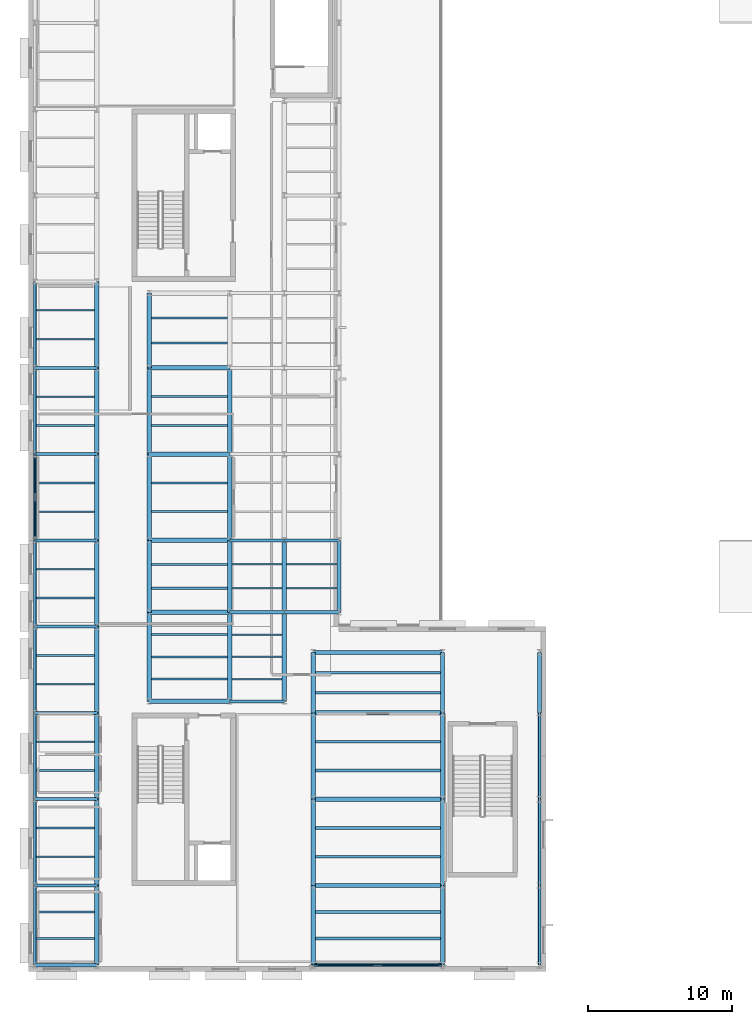
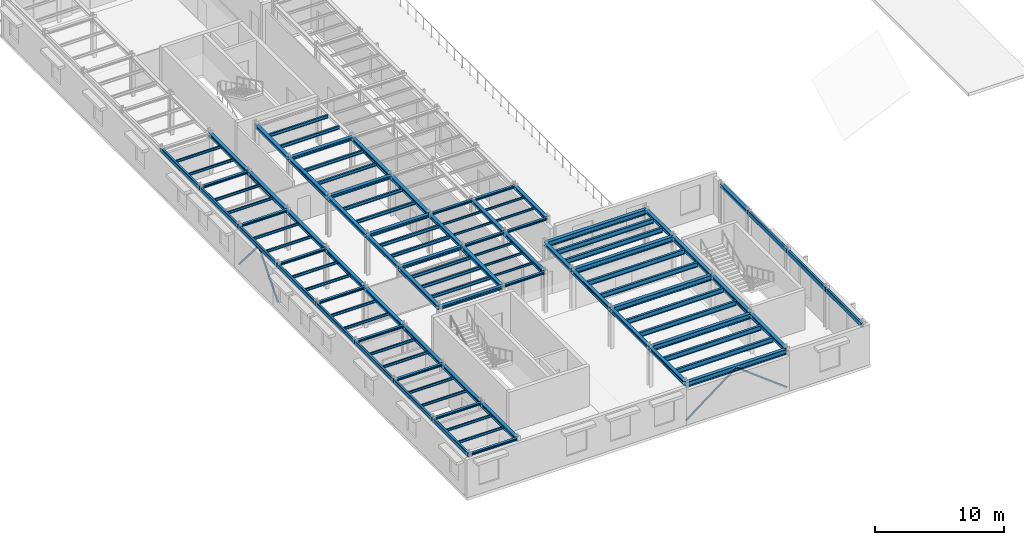
# One storey, part 3 of 13: 105 beams, 4 members.
"""IFC4 building model written with IfcOpenShell, lengths in metres."""

from ifc_helpers import new_model, si_unit, direction, frame, origin, origin_2d, place, context, subcontext, project, spatial, hollow_rectangle, hollow_circle, i_section, extrude, material, material_profile, profile_set, type_object, element, save


model = new_model("IFC4")

# Units and contexts
model_context = context("Model", 3, precision=1e-05, world=origin(), true_north=direction((0.0, 1.0)))
body_context = subcontext(model_context, "Body", "Model", "MODEL_VIEW")
ifc_project = project(units=[si_unit("LENGTHUNIT", "METRE"), si_unit("AREAUNIT", "SQUARE_METRE"), si_unit("VOLUMEUNIT", "CUBIC_METRE"), si_unit("PLANEANGLEUNIT", "RADIAN"), si_unit("MASSUNIT", "GRAM", prefix="KILO")], contexts=[model_context])

# Site, building, storey
site_placement = place(None, origin())
site = spatial("IfcSite", under=ifc_project, at=site_placement, CompositionType="ELEMENT")
building_placement = place(site_placement, origin())
building = spatial("IfcBuilding", under=site, at=building_placement, Name="Kolvaren Corner Interchange", CompositionType="ELEMENT")
storey_placement = place(building_placement, frame((0.0, 0.0, 14.699951171875)))
storey = spatial("IfcBuildingStorey", under=building, at=storey_placement, Name="L04", CompositionType="ELEMENT", Elevation=14.699951171875)

# Beams
ifc_material_1 = material(Name="Steel S355", Category="steel")
ifc_material_profile_1 = material_profile(ifc_material_1, i_section(OverallWidth=0.219970703125, OverallDepth=0.2099609375, WebThickness=0.007080078125, FlangeThickness=0.010986328125, FilletRadius=0.01806640625, at=origin_2d()), Name="HEA 220")
ifc_profile_set_1 = profile_set([ifc_material_profile_1], Name="Steel S355")
beam_type_1 = type_object("IfcBeamType", Name="BM-HEA220", PredefinedType="BEAM", material=ifc_profile_set_1)
for number, where, z_axis, x_axis, name in (
    (1, (14.0, 18.800048828125, 3.695068359375), (1.0, 0.0, 0.0), (0.0, 1.0, 0.0), "Storey L04 Grid X Primary Girder 1027"),
    (2, (14.0, 25.0, 3.695068359375), (1.0, 0.0, 0.0), (0.0, 1.0, 0.0), "Storey L04 Grid X Primary Girder 1029"),
    (3, (17.800048828125, 25.0, 3.695068359375), (1.0, 0.0, 0.0), (0.0, 1.0, 0.0), "Storey L04 Grid X Primary Girder 1030"),
    (4, (14.0, 30.0, 3.695068359375), (1.0, 0.0, 0.0), (0.0, 1.0, 0.0), "Storey L04 Grid X Primary Girder 1032"),
    (5, (17.800048828125, 30.0, 3.695068359375), (1.0, 0.0, 0.0), (0.0, 1.0, 0.0), "Storey L04 Grid X Primary Girder 1033"),
):
    element("IfcBeam", number, at=place(storey_placement, frame(where, z_axis=z_axis, x_axis=x_axis)), inside=storey, type_object=beam_type_1, Name=name, PredefinedType="BEAM", context=body_context, shape_type="SweptSolid", body=[
        extrude(i_section(OverallWidth=0.219970703125, OverallDepth=0.2099609375, WebThickness=0.007080078125, FlangeThickness=0.010986328125, FilletRadius=0.01806640625, at=origin_2d()), origin(), (0.0, 0.0, 1.0), 3.800048828125),
    ])
for number, where, z_axis, x_axis, name in (
    (6, (0.449951171875, 0.449951171875, 3.695068359375), (1.0, 0.0, 0.0), (0.0, 1.0, 0.0), "Storey L04 Grid X Primary Girder 1070"),
    (7, (0.449951171875, 6.0, 3.695068359375), (1.0, 0.0, 0.0), (0.0, 1.0, 0.0), "Storey L04 Grid X Primary Girder 1072"),
    (8, (0.449951171875, 12.0, 3.695068359375), (1.0, 0.0, 0.0), (0.0, 1.0, 0.0), "Storey L04 Grid X Primary Girder 1074"),
    (9, (0.449951171875, 18.0, 3.695068359375), (1.0, 0.0, 0.0), (0.0, 1.0, 0.0), "Storey L04 Grid X Primary Girder 1076"),
    (10, (0.449951171875, 24.0, 3.695068359375), (1.0, 0.0, 0.0), (0.0, 1.0, 0.0), "Storey L04 Grid X Primary Girder 1079"),
    (11, (0.449951171875, 30.0, 3.695068359375), (1.0, 0.0, 0.0), (0.0, 1.0, 0.0), "Storey L04 Grid X Primary Girder 1080"),
    (12, (0.449951171875, 36.0, 3.695068359375), (1.0, 0.0, 0.0), (0.0, 1.0, 0.0), "Storey L04 Grid X Primary Girder 1081"),
    (13, (0.449951171875, 42.0, 3.695068359375), (1.0, 0.0, 0.0), (0.0, 1.0, 0.0), "Storey L04 Grid X Primary Girder 1082"),
):
    element("IfcBeam", number, at=place(storey_placement, frame(where, z_axis=z_axis, x_axis=x_axis)), inside=storey, type_object=beam_type_1, Name=name, PredefinedType="BEAM", context=body_context, shape_type="SweptSolid", body=[
        extrude(i_section(OverallWidth=0.219970703125, OverallDepth=0.2099609375, WebThickness=0.007080078125, FlangeThickness=0.010986328125, FilletRadius=0.01806640625, at=origin_2d()), origin(), (0.0, 0.0, 1.0), 4.300048828125),
    ])
ifc_material_2 = material(Name="Steel S355", Category="steel")
ifc_material_profile_2 = material_profile(ifc_material_2, i_section(OverallWidth=0.300048828125, OverallDepth=0.2900390625, WebThickness=0.008544921875, FlangeThickness=0.013916015625, FilletRadius=0.027099609375, at=origin_2d()), Name="HEA 300")
ifc_profile_set_2 = profile_set([ifc_material_profile_2], Name="Steel S355")
beam_type_2 = type_object("IfcBeamType", Name="BM-HEA300", PredefinedType="BEAM", material=ifc_profile_set_2)
for number, where, z_axis, x_axis, name in (
    (14, (8.39990234375, 18.800048828125, 3.655029296875), (1.0, 0.0, 0.0), (0.0, 1.0, 0.0), "Storey L04 Grid X Primary Girder 1026"),
    (15, (8.39990234375, 25.0, 3.655029296875), (1.0, 0.0, 0.0), (0.0, 1.0, 0.0), "Storey L04 Grid X Primary Girder 1028"),
    (16, (8.39990234375, 30.0, 3.655029296875), (1.0, 0.0, 0.0), (0.0, 1.0, 0.0), "Storey L04 Grid X Primary Girder 1031"),
    (17, (8.39990234375, 36.0, 3.655029296875), (1.0, 0.0, 0.0), (0.0, 1.0, 0.0), "Storey L04 Grid X Primary Girder 1034"),
    (18, (8.39990234375, 42.0, 3.655029296875), (1.0, 0.0, 0.0), (0.0, 1.0, 0.0), "Storey L04 Grid X Primary Girder 1037"),
):
    element("IfcBeam", number, at=place(storey_placement, frame(where, z_axis=z_axis, x_axis=x_axis)), inside=storey, type_object=beam_type_2, Name=name, PredefinedType="BEAM", context=body_context, shape_type="SweptSolid", body=[
        extrude(i_section(OverallWidth=0.300048828125, OverallDepth=0.2900390625, WebThickness=0.008544921875, FlangeThickness=0.013916015625, FilletRadius=0.027099609375, at=origin_2d()), origin(), (0.0, 0.0, 1.0), 5.60009765625),
    ])
beam_1_placement = place(storey_placement, frame((8.39990234375, 25.0, 3.655029296875), z_axis=(0.0, 1.0, 0.0), x_axis=(-1.0, 0.0, 0.0)))
element("IfcBeam", 19, at=beam_1_placement, inside=storey, type_object=beam_type_2, Name="Storey L04 Grid Y Primary Girder 1046", PredefinedType="BEAM", context=body_context, shape_type="SweptSolid", body=[
    extrude(i_section(OverallWidth=0.300048828125, OverallDepth=0.2900390625, WebThickness=0.008544921875, FlangeThickness=0.013916015625, FilletRadius=0.027099609375, at=origin_2d()), origin(), (0.0, 0.0, 1.0), 5.0),
])
beam_2_placement = place(storey_placement, frame((8.39990234375, 42.0, 3.655029296875), z_axis=(0.0, 1.0, 0.0), x_axis=(-1.0, 0.0, 0.0)))
element("IfcBeam", 20, at=beam_2_placement, inside=storey, type_object=beam_type_2, Name="Storey L04 Grid Y Primary Girder 1049", PredefinedType="BEAM", context=body_context, shape_type="SweptSolid", body=[
    extrude(i_section(OverallWidth=0.300048828125, OverallDepth=0.2900390625, WebThickness=0.008544921875, FlangeThickness=0.013916015625, FilletRadius=0.027099609375, at=origin_2d()), origin(), (0.0, 0.0, 1.0), 5.199951171875),
])
for number, where, z_axis, x_axis, name in (
    (21, (14.0, 25.0, 3.655029296875), (0.0, 1.0, 0.0), (-1.0, 0.0, 0.0), "Storey L04 Grid Y Primary Girder 1051"),
    (22, (17.800048828125, 25.0, 3.655029296875), (0.0, 1.0, 0.0), (-1.0, 0.0, 0.0), "Storey L04 Grid Y Primary Girder 1056"),
    (23, (21.60009765625, 25.0, 3.655029296875), (0.0, 1.0, 0.0), (-1.0, 0.0, 0.0), "Storey L04 Grid Y Primary Girder 1062"),
):
    element("IfcBeam", number, at=place(storey_placement, frame(where, z_axis=z_axis, x_axis=x_axis)), inside=storey, type_object=beam_type_2, Name=name, PredefinedType="BEAM", context=body_context, shape_type="SweptSolid", body=[
        extrude(i_section(OverallWidth=0.300048828125, OverallDepth=0.2900390625, WebThickness=0.008544921875, FlangeThickness=0.013916015625, FilletRadius=0.027099609375, at=origin_2d()), origin(), (0.0, 0.0, 1.0), 5.0),
    ])
for number, where, z_axis, x_axis, name in (
    (24, (19.800048828125, 18.0, 3.655029296875), (0.0, 1.0, 0.0), (-1.0, 0.0, 0.0), "Storey L04 Grid Y Primary Girder 1115"),
    (25, (28.800048828125, 18.0, 3.655029296875), (0.0, 1.0, 0.0), (-1.0, 0.0, 0.0), "Storey L04 Grid Y Primary Girder 1119"),
    (26, (35.550048828125, 18.0, 3.655029296875), (0.0, 1.0, 0.0), (-1.0, 0.0, 0.0), "Storey L04 Grid Y Primary Girder 1123"),
):
    element("IfcBeam", number, at=place(storey_placement, frame(where, z_axis=z_axis, x_axis=x_axis)), inside=storey, type_object=beam_type_2, Name=name, PredefinedType="BEAM", context=body_context, shape_type="SweptSolid", body=[
        extrude(i_section(OverallWidth=0.300048828125, OverallDepth=0.2900390625, WebThickness=0.008544921875, FlangeThickness=0.013916015625, FilletRadius=0.027099609375, at=origin_2d()), origin(), (0.0, 0.0, 1.0), 4.199951171875),
    ])
ifc_material_3 = material(Name="Steel S355", Category="steel")
ifc_material_profile_3 = material_profile(ifc_material_3, i_section(OverallWidth=0.300048828125, OverallDepth=0.35009765625, WebThickness=0.010009765625, FlangeThickness=0.017578125, FilletRadius=0.027099609375, at=origin_2d()), Name="HEA 360")
ifc_profile_set_3 = profile_set([ifc_material_profile_3], Name="Steel S355")
beam_type_3 = type_object("IfcBeamType", Name="BM-HEA360", PredefinedType="BEAM", material=ifc_profile_set_3)
beam_3_placement = place(storey_placement, frame((8.39990234375, 18.800048828125, 3.625), z_axis=(0.0, 1.0, 0.0), x_axis=(-1.0, 0.0, 0.0)))
element("IfcBeam", 27, at=beam_3_placement, inside=storey, type_object=beam_type_3, Name="Storey L04 Grid Y Primary Girder 1045", PredefinedType="BEAM", context=body_context, shape_type="SweptSolid", body=[
    extrude(i_section(OverallWidth=0.300048828125, OverallDepth=0.35009765625, WebThickness=0.010009765625, FlangeThickness=0.017578125, FilletRadius=0.027099609375, at=origin_2d()), origin(), (0.0, 0.0, 1.0), 6.199951171875),
])
for number, where, z_axis, x_axis, name in (
    (28, (8.39990234375, 30.0, 3.625), (0.0, 1.0, 0.0), (-1.0, 0.0, 0.0), "Storey L04 Grid Y Primary Girder 1047"),
    (29, (8.39990234375, 36.0, 3.625), (0.0, 1.0, 0.0), (-1.0, 0.0, 0.0), "Storey L04 Grid Y Primary Girder 1048"),
):
    element("IfcBeam", number, at=place(storey_placement, frame(where, z_axis=z_axis, x_axis=x_axis)), inside=storey, type_object=beam_type_3, Name=name, PredefinedType="BEAM", context=body_context, shape_type="SweptSolid", body=[
        extrude(i_section(OverallWidth=0.300048828125, OverallDepth=0.35009765625, WebThickness=0.010009765625, FlangeThickness=0.017578125, FilletRadius=0.027099609375, at=origin_2d()), origin(), (0.0, 0.0, 1.0), 6.0),
    ])
beam_4_placement = place(storey_placement, frame((14.0, 18.800048828125, 3.625), z_axis=(0.0, 1.0, 0.0), x_axis=(-1.0, 0.0, 0.0)))
element("IfcBeam", 30, at=beam_4_placement, inside=storey, type_object=beam_type_3, Name="Storey L04 Grid Y Primary Girder 1050", PredefinedType="BEAM", context=body_context, shape_type="SweptSolid", body=[
    extrude(i_section(OverallWidth=0.300048828125, OverallDepth=0.35009765625, WebThickness=0.010009765625, FlangeThickness=0.017578125, FilletRadius=0.027099609375, at=origin_2d()), origin(), (0.0, 0.0, 1.0), 6.199951171875),
])
for number, where, z_axis, x_axis, name in (
    (31, (14.0, 30.0, 3.625), (0.0, 1.0, 0.0), (-1.0, 0.0, 0.0), "Storey L04 Grid Y Primary Girder 1052"),
    (32, (14.0, 36.0, 3.625), (0.0, 1.0, 0.0), (-1.0, 0.0, 0.0), "Storey L04 Grid Y Primary Girder 1053"),
):
    element("IfcBeam", number, at=place(storey_placement, frame(where, z_axis=z_axis, x_axis=x_axis)), inside=storey, type_object=beam_type_3, Name=name, PredefinedType="BEAM", context=body_context, shape_type="SweptSolid", body=[
        extrude(i_section(OverallWidth=0.300048828125, OverallDepth=0.35009765625, WebThickness=0.010009765625, FlangeThickness=0.017578125, FilletRadius=0.027099609375, at=origin_2d()), origin(), (0.0, 0.0, 1.0), 6.0),
    ])
beam_5_placement = place(storey_placement, frame((17.800048828125, 18.800048828125, 3.625), z_axis=(0.0, 1.0, 0.0), x_axis=(-1.0, 0.0, 0.0)))
element("IfcBeam", 33, at=beam_5_placement, inside=storey, type_object=beam_type_3, Name="Storey L04 Grid Y Primary Girder 1055", PredefinedType="BEAM", context=body_context, shape_type="SweptSolid", body=[
    extrude(i_section(OverallWidth=0.300048828125, OverallDepth=0.35009765625, WebThickness=0.010009765625, FlangeThickness=0.017578125, FilletRadius=0.027099609375, at=origin_2d()), origin(), (0.0, 0.0, 1.0), 6.199951171875),
])
beam_6_placement = place(storey_placement, frame((4.75, 0.449951171875, 3.625), z_axis=(0.0, 1.0, 0.0), x_axis=(-1.0, 0.0, 0.0)))
element("IfcBeam", 34, at=beam_6_placement, inside=storey, type_object=beam_type_3, Name="Storey L04 Grid Y Primary Girder 1100", PredefinedType="BEAM", context=body_context, shape_type="SweptSolid", body=[
    extrude(i_section(OverallWidth=0.300048828125, OverallDepth=0.35009765625, WebThickness=0.010009765625, FlangeThickness=0.017578125, FilletRadius=0.027099609375, at=origin_2d()), origin(), (0.0, 0.0, 1.0), 5.550048828125),
])
for number, where, z_axis, x_axis, name in (
    (35, (4.75, 6.0, 3.625), (0.0, 1.0, 0.0), (-1.0, 0.0, 0.0), "Storey L04 Grid Y Primary Girder 1101"),
    (36, (4.75, 12.0, 3.625), (0.0, 1.0, 0.0), (-1.0, 0.0, 0.0), "Storey L04 Grid Y Primary Girder 1102"),
    (37, (4.75, 18.0, 3.625), (0.0, 1.0, 0.0), (-1.0, 0.0, 0.0), "Storey L04 Grid Y Primary Girder 1103"),
    (38, (4.75, 24.0, 3.625), (0.0, 1.0, 0.0), (-1.0, 0.0, 0.0), "Storey L04 Grid Y Primary Girder 1104"),
    (39, (4.75, 30.0, 3.625), (0.0, 1.0, 0.0), (-1.0, 0.0, 0.0), "Storey L04 Grid Y Primary Girder 1105"),
    (40, (4.75, 36.0, 3.625), (0.0, 1.0, 0.0), (-1.0, 0.0, 0.0), "Storey L04 Grid Y Primary Girder 1106"),
    (41, (4.75, 42.0, 3.625), (0.0, 1.0, 0.0), (-1.0, 0.0, 0.0), "Storey L04 Grid Y Primary Girder 1107"),
):
    element("IfcBeam", number, at=place(storey_placement, frame(where, z_axis=z_axis, x_axis=x_axis)), inside=storey, type_object=beam_type_3, Name=name, PredefinedType="BEAM", context=body_context, shape_type="SweptSolid", body=[
        extrude(i_section(OverallWidth=0.300048828125, OverallDepth=0.35009765625, WebThickness=0.010009765625, FlangeThickness=0.017578125, FilletRadius=0.027099609375, at=origin_2d()), origin(), (0.0, 0.0, 1.0), 6.0),
    ])
beam_7_placement = place(storey_placement, frame((19.800048828125, 0.449951171875, 3.625), z_axis=(0.0, 1.0, 0.0), x_axis=(-1.0, 0.0, 0.0)))
element("IfcBeam", 42, at=beam_7_placement, inside=storey, type_object=beam_type_3, Name="Storey L04 Grid Y Primary Girder 1112", PredefinedType="BEAM", context=body_context, shape_type="SweptSolid", body=[
    extrude(i_section(OverallWidth=0.300048828125, OverallDepth=0.35009765625, WebThickness=0.010009765625, FlangeThickness=0.017578125, FilletRadius=0.027099609375, at=origin_2d()), origin(), (0.0, 0.0, 1.0), 5.550048828125),
])
for number, where, z_axis, x_axis, name in (
    (43, (19.800048828125, 6.0, 3.625), (0.0, 1.0, 0.0), (-1.0, 0.0, 0.0), "Storey L04 Grid Y Primary Girder 1113"),
    (44, (19.800048828125, 12.0, 3.625), (0.0, 1.0, 0.0), (-1.0, 0.0, 0.0), "Storey L04 Grid Y Primary Girder 1114"),
):
    element("IfcBeam", number, at=place(storey_placement, frame(where, z_axis=z_axis, x_axis=x_axis)), inside=storey, type_object=beam_type_3, Name=name, PredefinedType="BEAM", context=body_context, shape_type="SweptSolid", body=[
        extrude(i_section(OverallWidth=0.300048828125, OverallDepth=0.35009765625, WebThickness=0.010009765625, FlangeThickness=0.017578125, FilletRadius=0.027099609375, at=origin_2d()), origin(), (0.0, 0.0, 1.0), 6.0),
    ])
beam_8_placement = place(storey_placement, frame((28.800048828125, 0.449951171875, 3.625), z_axis=(0.0, 1.0, 0.0), x_axis=(-1.0, 0.0, 0.0)))
element("IfcBeam", 45, at=beam_8_placement, inside=storey, type_object=beam_type_3, Name="Storey L04 Grid Y Primary Girder 1116", PredefinedType="BEAM", context=body_context, shape_type="SweptSolid", body=[
    extrude(i_section(OverallWidth=0.300048828125, OverallDepth=0.35009765625, WebThickness=0.010009765625, FlangeThickness=0.017578125, FilletRadius=0.027099609375, at=origin_2d()), origin(), (0.0, 0.0, 1.0), 5.550048828125),
])
for number, where, z_axis, x_axis, name in (
    (46, (28.800048828125, 6.0, 3.625), (0.0, 1.0, 0.0), (-1.0, 0.0, 0.0), "Storey L04 Grid Y Primary Girder 1117"),
    (47, (28.800048828125, 12.0, 3.625), (0.0, 1.0, 0.0), (-1.0, 0.0, 0.0), "Storey L04 Grid Y Primary Girder 1118"),
):
    element("IfcBeam", number, at=place(storey_placement, frame(where, z_axis=z_axis, x_axis=x_axis)), inside=storey, type_object=beam_type_3, Name=name, PredefinedType="BEAM", context=body_context, shape_type="SweptSolid", body=[
        extrude(i_section(OverallWidth=0.300048828125, OverallDepth=0.35009765625, WebThickness=0.010009765625, FlangeThickness=0.017578125, FilletRadius=0.027099609375, at=origin_2d()), origin(), (0.0, 0.0, 1.0), 6.0),
    ])
ifc_material_4 = material(Name="Steel S355", Category="steel")
ifc_material_profile_4 = material_profile(ifc_material_4, i_section(OverallWidth=0.300048828125, OverallDepth=0.489990234375, WebThickness=0.011962890625, FlangeThickness=0.02294921875, FilletRadius=0.027099609375, at=origin_2d()), Name="HEA 500")
ifc_profile_set_4 = profile_set([ifc_material_profile_4], Name="Steel S355")
beam_type_4 = type_object("IfcBeamType", Name="BM-HEA500", PredefinedType="BEAM", material=ifc_profile_set_4)
for number, where, z_axis, x_axis, name in (
    (48, (19.800048828125, 0.449951171875, 3.554931640625), (1.0, 0.0, 0.0), (0.0, 1.0, 0.0), "Storey L04 Grid X Primary Girder 1071"),
    (49, (19.800048828125, 6.0, 3.554931640625), (1.0, 0.0, 0.0), (0.0, 1.0, 0.0), "Storey L04 Grid X Primary Girder 1073"),
    (50, (19.800048828125, 12.0, 3.554931640625), (1.0, 0.0, 0.0), (0.0, 1.0, 0.0), "Storey L04 Grid X Primary Girder 1075"),
    (51, (19.800048828125, 18.0, 3.554931640625), (1.0, 0.0, 0.0), (0.0, 1.0, 0.0), "Storey L04 Grid X Primary Girder 1077"),
    (52, (19.800048828125, 22.199951171875, 3.554931640625), (1.0, 0.0, 0.0), (0.0, 1.0, 0.0), "Storey L04 Grid X Primary Girder 1078"),
):
    element("IfcBeam", number, at=place(storey_placement, frame(where, z_axis=z_axis, x_axis=x_axis)), inside=storey, type_object=beam_type_4, Name=name, PredefinedType="BEAM", context=body_context, shape_type="SweptSolid", body=[
        extrude(i_section(OverallWidth=0.300048828125, OverallDepth=0.489990234375, WebThickness=0.011962890625, FlangeThickness=0.02294921875, FilletRadius=0.027099609375, at=origin_2d()), origin(), (0.0, 0.0, 1.0), 9.0),
    ])
ifc_material_5 = material(Name="Steel S355", Category="steel")
ifc_material_profile_5 = material_profile(ifc_material_5, i_section(OverallWidth=0.10009765625, OverallDepth=0.199951171875, WebThickness=0.005615234375, FlangeThickness=0.008544921875, FilletRadius=0.011962890625, at=origin_2d()), Name="IPE 200")
ifc_profile_set_5 = profile_set([ifc_material_profile_5], Name="Steel S355")
beam_type_5 = type_object("IfcBeamType", Name="JS-IPE200", PredefinedType="JOIST", material=ifc_profile_set_5)
for number, where, z_axis, x_axis, name in (
    (53, (14.14990234375, 20.35009765625, 3.699951171875), (1.0, 0.0, 0.0), (0.0, 1.0, 0.0), "Storey L04 Composite Floor Joist 0898"),
    (54, (14.14990234375, 21.89990234375, 3.699951171875), (1.0, 0.0, 0.0), (0.0, 1.0, 0.0), "Storey L04 Composite Floor Joist 0899"),
    (55, (14.14990234375, 23.449951171875, 3.699951171875), (1.0, 0.0, 0.0), (0.0, 1.0, 0.0), "Storey L04 Composite Floor Joist 0900"),
    (56, (14.14990234375, 26.666748046875, 3.699951171875), (1.0, 0.0, 0.0), (0.0, 1.0, 0.0), "Storey L04 Composite Floor Joist 0901"),
    (57, (14.14990234375, 28.333251953125, 3.699951171875), (1.0, 0.0, 0.0), (0.0, 1.0, 0.0), "Storey L04 Composite Floor Joist 0902"),
    (58, (17.949951171875, 26.666748046875, 3.699951171875), (1.0, 0.0, 0.0), (0.0, 1.0, 0.0), "Storey L04 Composite Floor Joist 0909"),
    (59, (17.949951171875, 28.333251953125, 3.699951171875), (1.0, 0.0, 0.0), (0.0, 1.0, 0.0), "Storey L04 Composite Floor Joist 0910"),
):
    element("IfcBeam", number, at=place(storey_placement, frame(where, z_axis=z_axis, x_axis=x_axis)), inside=storey, type_object=beam_type_5, Name=name, PredefinedType="JOIST", context=body_context, shape_type="SweptSolid", body=[
        extrude(i_section(OverallWidth=0.10009765625, OverallDepth=0.199951171875, WebThickness=0.005615234375, FlangeThickness=0.008544921875, FilletRadius=0.011962890625, at=origin_2d()), origin(), (0.0, 0.0, 1.0), 3.5),
    ])
ifc_material_6 = material(Name="Steel S355", Category="steel")
ifc_material_profile_6 = material_profile(ifc_material_6, i_section(OverallWidth=0.1201171875, OverallDepth=0.239990234375, WebThickness=0.006103515625, FlangeThickness=0.009765625, FilletRadius=0.014892578125, at=origin_2d()), Name="IPE 240")
ifc_profile_set_6 = profile_set([ifc_material_profile_6], Name="Steel S355")
beam_type_6 = type_object("IfcBeamType", Name="JS-IPE240", PredefinedType="JOIST", material=ifc_profile_set_6)
for number, where, z_axis, x_axis, name in (
    (60, (0.550048828125, 2.300048828125, 3.679931640625), (1.0, 0.0, 0.0), (0.0, 1.0, 0.0), "Storey L04 Composite Floor Joist 0923"),
    (61, (0.550048828125, 4.14990234375, 3.679931640625), (1.0, 0.0, 0.0), (0.0, 1.0, 0.0), "Storey L04 Composite Floor Joist 0924"),
    (62, (0.550048828125, 8.0, 3.679931640625), (1.0, 0.0, 0.0), (0.0, 1.0, 0.0), "Storey L04 Composite Floor Joist 0925"),
    (63, (0.550048828125, 10.0, 3.679931640625), (1.0, 0.0, 0.0), (0.0, 1.0, 0.0), "Storey L04 Composite Floor Joist 0926"),
    (64, (0.550048828125, 14.0, 3.679931640625), (1.0, 0.0, 0.0), (0.0, 1.0, 0.0), "Storey L04 Composite Floor Joist 0927"),
    (65, (0.550048828125, 16.0, 3.679931640625), (1.0, 0.0, 0.0), (0.0, 1.0, 0.0), "Storey L04 Composite Floor Joist 0928"),
    (66, (0.550048828125, 20.0, 3.679931640625), (1.0, 0.0, 0.0), (0.0, 1.0, 0.0), "Storey L04 Composite Floor Joist 0929"),
    (67, (0.550048828125, 22.0, 3.679931640625), (1.0, 0.0, 0.0), (0.0, 1.0, 0.0), "Storey L04 Composite Floor Joist 0930"),
    (68, (0.550048828125, 26.0, 3.679931640625), (1.0, 0.0, 0.0), (0.0, 1.0, 0.0), "Storey L04 Composite Floor Joist 0931"),
    (69, (0.550048828125, 28.0, 3.679931640625), (1.0, 0.0, 0.0), (0.0, 1.0, 0.0), "Storey L04 Composite Floor Joist 0932"),
    (70, (0.550048828125, 32.0, 3.679931640625), (1.0, 0.0, 0.0), (0.0, 1.0, 0.0), "Storey L04 Composite Floor Joist 0933"),
    (71, (0.550048828125, 34.0, 3.679931640625), (1.0, 0.0, 0.0), (0.0, 1.0, 0.0), "Storey L04 Composite Floor Joist 0934"),
    (72, (0.550048828125, 38.0, 3.679931640625), (1.0, 0.0, 0.0), (0.0, 1.0, 0.0), "Storey L04 Composite Floor Joist 0935"),
    (73, (0.550048828125, 40.0, 3.679931640625), (1.0, 0.0, 0.0), (0.0, 1.0, 0.0), "Storey L04 Composite Floor Joist 0936"),
    (74, (0.550048828125, 44.0, 3.679931640625), (1.0, 0.0, 0.0), (0.0, 1.0, 0.0), "Storey L04 Composite Floor Joist 0937"),
    (75, (0.550048828125, 46.0, 3.679931640625), (1.0, 0.0, 0.0), (0.0, 1.0, 0.0), "Storey L04 Composite Floor Joist 0938"),
):
    element("IfcBeam", number, at=place(storey_placement, frame(where, z_axis=z_axis, x_axis=x_axis)), inside=storey, type_object=beam_type_6, Name=name, PredefinedType="JOIST", context=body_context, shape_type="SweptSolid", body=[
        extrude(i_section(OverallWidth=0.1201171875, OverallDepth=0.239990234375, WebThickness=0.006103515625, FlangeThickness=0.009765625, FilletRadius=0.014892578125, at=origin_2d()), origin(), (0.0, 0.0, 1.0), 4.050048828125),
    ])
ifc_material_7 = material(Name="Steel S355", Category="steel")
ifc_material_profile_7 = material_profile(ifc_material_7, i_section(OverallWidth=0.14990234375, OverallDepth=0.300048828125, WebThickness=0.007080078125, FlangeThickness=0.0107421875, FilletRadius=0.014892578125, at=origin_2d()), Name="IPE 300")
ifc_profile_set_7 = profile_set([ifc_material_profile_7], Name="Steel S355")
beam_type_7 = type_object("IfcBeamType", Name="JS-IPE300", PredefinedType="JOIST", material=ifc_profile_set_7)
for number, where, z_axis, x_axis, name in (
    (76, (8.550048828125, 20.35009765625, 3.650146484375), (1.0, 0.0, 0.0), (0.0, 1.0, 0.0), "Storey L04 Composite Floor Joist 0887"),
    (77, (8.550048828125, 21.89990234375, 3.650146484375), (1.0, 0.0, 0.0), (0.0, 1.0, 0.0), "Storey L04 Composite Floor Joist 0888"),
    (78, (8.550048828125, 23.449951171875, 3.650146484375), (1.0, 0.0, 0.0), (0.0, 1.0, 0.0), "Storey L04 Composite Floor Joist 0889"),
    (79, (8.550048828125, 26.666748046875, 3.650146484375), (1.0, 0.0, 0.0), (0.0, 1.0, 0.0), "Storey L04 Composite Floor Joist 0890"),
    (80, (8.550048828125, 28.333251953125, 3.650146484375), (1.0, 0.0, 0.0), (0.0, 1.0, 0.0), "Storey L04 Composite Floor Joist 0891"),
    (81, (8.550048828125, 32.0, 3.650146484375), (1.0, 0.0, 0.0), (0.0, 1.0, 0.0), "Storey L04 Composite Floor Joist 0892"),
    (82, (8.550048828125, 34.0, 3.650146484375), (1.0, 0.0, 0.0), (0.0, 1.0, 0.0), "Storey L04 Composite Floor Joist 0893"),
    (83, (8.550048828125, 38.0, 3.650146484375), (1.0, 0.0, 0.0), (0.0, 1.0, 0.0), "Storey L04 Composite Floor Joist 0894"),
    (84, (8.550048828125, 40.0, 3.650146484375), (1.0, 0.0, 0.0), (0.0, 1.0, 0.0), "Storey L04 Composite Floor Joist 0895"),
    (85, (8.550048828125, 43.7333984375, 3.650146484375), (1.0, 0.0, 0.0), (0.0, 1.0, 0.0), "Storey L04 Composite Floor Joist 0896"),
    (86, (8.550048828125, 45.466796875, 3.650146484375), (1.0, 0.0, 0.0), (0.0, 1.0, 0.0), "Storey L04 Composite Floor Joist 0897"),
):
    element("IfcBeam", number, at=place(storey_placement, frame(where, z_axis=z_axis, x_axis=x_axis)), inside=storey, type_object=beam_type_7, Name=name, PredefinedType="JOIST", context=body_context, shape_type="SweptSolid", body=[
        extrude(i_section(OverallWidth=0.14990234375, OverallDepth=0.300048828125, WebThickness=0.007080078125, FlangeThickness=0.0107421875, FilletRadius=0.014892578125, at=origin_2d()), origin(), (0.0, 0.0, 1.0), 5.300048828125),
    ])
ifc_material_8 = material(Name="Steel S355", Category="steel")
ifc_material_profile_8 = material_profile(ifc_material_8, i_section(OverallWidth=0.18994140625, OverallDepth=0.449951171875, WebThickness=0.009521484375, FlangeThickness=0.0146484375, FilletRadius=0.02099609375, at=origin_2d()), Name="IPE 450")
ifc_profile_set_8 = profile_set([ifc_material_profile_8], Name="Steel S355")
beam_type_8 = type_object("IfcBeamType", Name="JS-IPE450", PredefinedType="JOIST", material=ifc_profile_set_8)
for number, where, z_axis, x_axis, name in (
    (87, (19.949951171875, 2.300048828125, 3.574951171875), (1.0, 0.0, 0.0), (0.0, 1.0, 0.0), "Storey L04 Composite Floor Joist 0947"),
    (88, (19.949951171875, 4.14990234375, 3.574951171875), (1.0, 0.0, 0.0), (0.0, 1.0, 0.0), "Storey L04 Composite Floor Joist 0948"),
    (89, (19.949951171875, 8.0, 3.574951171875), (1.0, 0.0, 0.0), (0.0, 1.0, 0.0), "Storey L04 Composite Floor Joist 0949"),
    (90, (19.949951171875, 10.0, 3.574951171875), (1.0, 0.0, 0.0), (0.0, 1.0, 0.0), "Storey L04 Composite Floor Joist 0950"),
    (91, (19.949951171875, 14.0, 3.574951171875), (1.0, 0.0, 0.0), (0.0, 1.0, 0.0), "Storey L04 Composite Floor Joist 0951"),
    (92, (19.949951171875, 16.0, 3.574951171875), (1.0, 0.0, 0.0), (0.0, 1.0, 0.0), "Storey L04 Composite Floor Joist 0952"),
    (93, (19.949951171875, 19.39990234375, 3.574951171875), (1.0, 0.0, 0.0), (0.0, 1.0, 0.0), "Storey L04 Composite Floor Joist 0953"),
    (94, (19.949951171875, 20.800048828125, 3.574951171875), (1.0, 0.0, 0.0), (0.0, 1.0, 0.0), "Storey L04 Composite Floor Joist 0954"),
):
    element("IfcBeam", number, at=place(storey_placement, frame(where, z_axis=z_axis, x_axis=x_axis)), inside=storey, type_object=beam_type_8, Name=name, PredefinedType="JOIST", context=body_context, shape_type="SweptSolid", body=[
        extrude(i_section(OverallWidth=0.18994140625, OverallDepth=0.449951171875, WebThickness=0.009521484375, FlangeThickness=0.0146484375, FilletRadius=0.02099609375, at=origin_2d()), origin(), (0.0, 0.0, 1.0), 8.699951171875),
    ])

# Members
ifc_material_9 = material(Name="Steel S355", Category="steel")
ifc_material_profile_9 = material_profile(ifc_material_9, hollow_circle(Radius=0.084228515625, WallThickness=0.008056640625, at=origin_2d()), Name="CHS 168.3x8.0")
ifc_profile_set_9 = profile_set([ifc_material_profile_9], Name="Steel S355")
member_type = type_object("IfcMemberType", Name="MEM-BR-CHS168", PredefinedType="BRACE", material=ifc_profile_set_9)
for number, where, z_axis, x_axis, name in (
    (95, (19.800048828125, 0.449951171875, 0.1201171875), (0.794899793875, 0.0, 0.606740733508), (0.0, 1.0, 0.0), "Storey L04 Lateral Chevron Steel Brace 04 Left"),
    (96, (28.800048828125, 0.449951171875, 0.1201171875), (-0.794899793875, 0.0, 0.606740733508), (0.0, -1.0, 0.0), "Storey L04 Lateral Chevron Steel Brace 04 Right"),
):
    element("IfcMember", number, at=place(storey_placement, frame(where, z_axis=z_axis, x_axis=x_axis)), inside=storey, type_object=member_type, Name=name, PredefinedType="BRACE", context=body_context, shape_type="SweptSolid", body=[
        extrude(hollow_circle(Radius=0.084228515625, WallThickness=0.008056640625, at=origin_2d()), origin(), (0.0, 0.0, 1.0), 5.6611328125),
    ])
for number, where, z_axis, x_axis, name in (
    (97, (0.449951171875, 30.0, 0.1201171875), (0.0, 0.65026825518, 0.759704677032), (-1.0, 0.0, 0.0), "Storey L04 Lateral Chevron Steel Brace 09 Left"),
    (98, (0.449951171875, 36.0, 0.1201171875), (0.0, -0.65026825518, 0.759704677032), (1.0, 0.0, 0.0), "Storey L04 Lateral Chevron Steel Brace 09 Right"),
):
    element("IfcMember", number, at=place(storey_placement, frame(where, z_axis=z_axis, x_axis=x_axis)), inside=storey, type_object=member_type, Name=name, PredefinedType="BRACE", context=body_context, shape_type="SweptSolid", body=[
        extrude(hollow_circle(Radius=0.084228515625, WallThickness=0.008056640625, at=origin_2d()), origin(), (0.0, 0.0, 1.0), 4.613525390625),
    ])

# Beams
ifc_material_10 = material(Name="Steel S355", Category="steel")
ifc_material_profile_10 = material_profile(ifc_material_10, hollow_rectangle(XDim=0.199951171875, YDim=0.35009765625, WallThickness=0.012451171875, InnerFilletRadius=0.012451171875, OuterFilletRadius=0.02490234375, at=origin_2d()), Name="RHS 350x200x12.5")
ifc_profile_set_10 = profile_set([ifc_material_profile_10], Name="Steel S355")
beam_type_9 = type_object("IfcBeamType", Name="SP-RHS350", PredefinedType="SPANDREL", material=ifc_profile_set_10)
beam_9_placement = place(storey_placement, frame((0.449951171875, 0.449951171875, 3.625), z_axis=(0.0, 1.0, 0.0), x_axis=(-1.0, 0.0, 0.0)))
element("IfcBeam", 99, at=beam_9_placement, inside=storey, type_object=beam_type_9, Name="Storey L04 Grid Y Primary Girder 1088", PredefinedType="SPANDREL", context=body_context, shape_type="SweptSolid", body=[
    extrude(hollow_rectangle(XDim=0.199951171875, YDim=0.35009765625, WallThickness=0.012451171875, InnerFilletRadius=0.012451171875, OuterFilletRadius=0.02490234375, at=origin_2d()), origin(), (0.0, 0.0, 1.0), 5.550048828125),
])
for number, where, z_axis, x_axis, name in (
    (100, (0.449951171875, 6.0, 3.625), (0.0, 1.0, 0.0), (-1.0, 0.0, 0.0), "Storey L04 Grid Y Primary Girder 1089"),
    (101, (0.449951171875, 12.0, 3.625), (0.0, 1.0, 0.0), (-1.0, 0.0, 0.0), "Storey L04 Grid Y Primary Girder 1090"),
    (102, (0.449951171875, 18.0, 3.625), (0.0, 1.0, 0.0), (-1.0, 0.0, 0.0), "Storey L04 Grid Y Primary Girder 1091"),
    (103, (0.449951171875, 24.0, 3.625), (0.0, 1.0, 0.0), (-1.0, 0.0, 0.0), "Storey L04 Grid Y Primary Girder 1092"),
    (104, (0.449951171875, 30.0, 3.625), (0.0, 1.0, 0.0), (-1.0, 0.0, 0.0), "Storey L04 Grid Y Primary Girder 1093"),
    (105, (0.449951171875, 36.0, 3.625), (0.0, 1.0, 0.0), (-1.0, 0.0, 0.0), "Storey L04 Grid Y Primary Girder 1094"),
    (106, (0.449951171875, 42.0, 3.625), (0.0, 1.0, 0.0), (-1.0, 0.0, 0.0), "Storey L04 Grid Y Primary Girder 1095"),
):
    element("IfcBeam", number, at=place(storey_placement, frame(where, z_axis=z_axis, x_axis=x_axis)), inside=storey, type_object=beam_type_9, Name=name, PredefinedType="SPANDREL", context=body_context, shape_type="SweptSolid", body=[
        extrude(hollow_rectangle(XDim=0.199951171875, YDim=0.35009765625, WallThickness=0.012451171875, InnerFilletRadius=0.012451171875, OuterFilletRadius=0.02490234375, at=origin_2d()), origin(), (0.0, 0.0, 1.0), 6.0),
    ])
ifc_material_11 = material(Name="Steel S355", Category="steel")
ifc_material_profile_11 = material_profile(ifc_material_11, hollow_rectangle(XDim=0.199951171875, YDim=0.39990234375, WallThickness=0.012451171875, InnerFilletRadius=0.012451171875, OuterFilletRadius=0.02490234375, at=origin_2d()), Name="RHS 400x200x12.5")
ifc_profile_set_11 = profile_set([ifc_material_profile_11], Name="Steel S355")
beam_type_10 = type_object("IfcBeamType", Name="SP-RHS400", PredefinedType="SPANDREL", material=ifc_profile_set_11)
beam_10_placement = place(storey_placement, frame((35.550048828125, 0.449951171875, 3.60009765625), z_axis=(0.0, 1.0, 0.0), x_axis=(-1.0, 0.0, 0.0)))
element("IfcBeam", 107, at=beam_10_placement, inside=storey, type_object=beam_type_10, Name="Storey L04 Grid Y Primary Girder 1120", PredefinedType="SPANDREL", context=body_context, shape_type="SweptSolid", body=[
    extrude(hollow_rectangle(XDim=0.199951171875, YDim=0.39990234375, WallThickness=0.012451171875, InnerFilletRadius=0.012451171875, OuterFilletRadius=0.02490234375, at=origin_2d()), origin(), (0.0, 0.0, 1.0), 5.550048828125),
])
for number, where, z_axis, x_axis, name in (
    (108, (35.550048828125, 6.0, 3.60009765625), (0.0, 1.0, 0.0), (-1.0, 0.0, 0.0), "Storey L04 Grid Y Primary Girder 1121"),
    (109, (35.550048828125, 12.0, 3.60009765625), (0.0, 1.0, 0.0), (-1.0, 0.0, 0.0), "Storey L04 Grid Y Primary Girder 1122"),
):
    element("IfcBeam", number, at=place(storey_placement, frame(where, z_axis=z_axis, x_axis=x_axis)), inside=storey, type_object=beam_type_10, Name=name, PredefinedType="SPANDREL", context=body_context, shape_type="SweptSolid", body=[
        extrude(hollow_rectangle(XDim=0.199951171875, YDim=0.39990234375, WallThickness=0.012451171875, InnerFilletRadius=0.012451171875, OuterFilletRadius=0.02490234375, at=origin_2d()), origin(), (0.0, 0.0, 1.0), 6.0),
    ])

save(model, "model.ifc")
